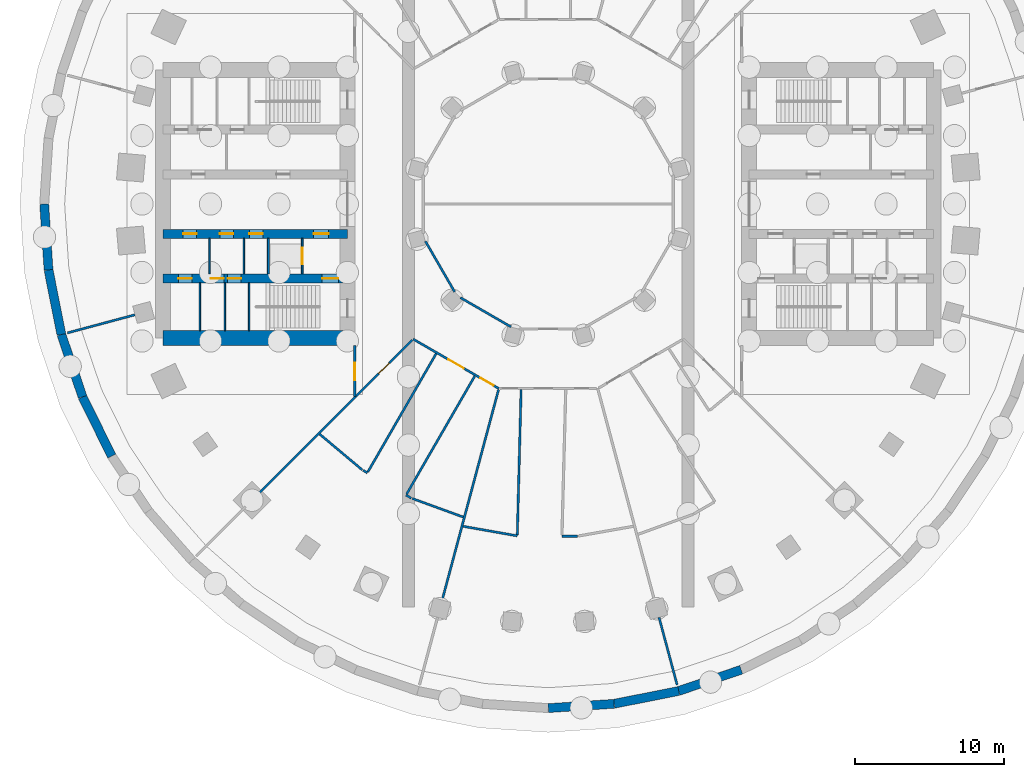
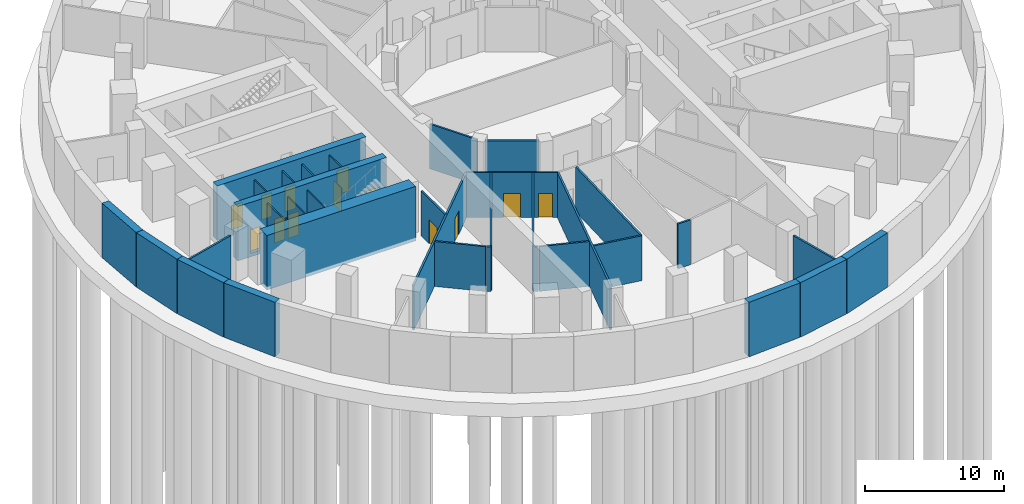
# One storey, part 3 of 10: 34 walls, 13 doors, 13 openings.
"""IFC4 building model written with IfcOpenShell, lengths in metres."""

from ifc_helpers import new_model, si_unit, direction, frame, frame_2d, origin, place, context, subcontext, project, spatial, rectangle, extrude, material, layer, layer_set, type_object, element, fill, save


model = new_model("IFC4")

# Units and contexts
model_context = context("Model", 3, precision=1e-05, world=origin(), true_north=direction((0.0, 1.0)))
body_context = subcontext(model_context, "Body", "Model", "MODEL_VIEW")
ifc_project = project(units=[si_unit("LENGTHUNIT", "METRE"), si_unit("AREAUNIT", "SQUARE_METRE"), si_unit("VOLUMEUNIT", "CUBIC_METRE"), si_unit("PLANEANGLEUNIT", "RADIAN"), si_unit("MASSUNIT", "GRAM", prefix="KILO")], contexts=[model_context])

# Site, building, storey
site_placement = place(None, origin())
site = spatial("IfcSite", under=ifc_project, at=site_placement, CompositionType="ELEMENT")
building_placement = place(site_placement, origin())
building = spatial("IfcBuilding", under=site, at=building_placement, Name="Saqina Gate Tower", CompositionType="ELEMENT")
storey_placement = place(building_placement, frame((0.0, 0.0, -9.0)))
storey = spatial("IfcBuildingStorey", under=building, at=storey_placement, Name="B2", CompositionType="ELEMENT", Elevation=-9.0)

# Walls
ifc_material_1 = material(Name="Gypsum board on steel studs", Category="steel")
ifc_layer_1 = layer(ifc_material_1, 0.10009765625)
ifc_layer_set_1 = layer_set([ifc_layer_1], Name="CORE PARTITION")
wall_type_1 = type_object("IfcWallType", Name="CORE PARTITION", PredefinedType="PARTITIONING", material=ifc_layer_set_1)
for number, where, z_axis, x_axis, name in (
    (1, (-20.45751953125, -4.699951171875, 0.0), (0.0, 0.0, 1.0), (0.0, 1.0, 0.0), "B2-CP-W04"),
    (2, (-22.763916015625, -4.699951171875, 0.0), (0.0, 0.0, 1.0), (0.0, 1.0, 0.0), "B2-CP-W05"),
):
    element("IfcWall", number, at=place(storey_placement, frame(where, z_axis=z_axis, x_axis=x_axis)), inside=storey, type_object=wall_type_1, Name=name, PredefinedType="PARTITIONING", context=body_context, shape_type="SweptSolid", body=[
        extrude(rectangle(XDim=2.39990234375, YDim=0.10009765625, at=frame_2d((1.199951171875, 0.0))), origin(), (0.0, 0.0, 1.0), 3.949951171875),
    ])
for number, where, z_axis, x_axis, name in (
    (3, (-21.73193359375, -8.5, 0.0), (0.0, 0.0, 1.0), (0.0, 1.0, 0.0), "B2-CP-W10"),
    (4, (-23.40869140625, -8.5, 0.0), (0.0, 0.0, 1.0), (0.0, 1.0, 0.0), "B2-CP-W11"),
):
    element("IfcWall", number, at=place(storey_placement, frame(where, z_axis=z_axis, x_axis=x_axis)), inside=storey, type_object=wall_type_1, Name=name, PredefinedType="PARTITIONING", context=body_context, shape_type="SweptSolid", body=[
        extrude(rectangle(XDim=3.199951171875, YDim=0.10009765625, at=frame_2d((1.60009765625, 0.0))), origin(), (0.0, 0.0, 1.0), 3.949951171875),
    ])

# Wall, opening, door
ifc_material_2 = material(Name="Autoclaved aerated concrete block", Category="concrete")
ifc_layer_2 = layer(ifc_material_2, 0.1201171875)
ifc_layer_set_2 = layer_set([ifc_layer_2], Name="SHAFT PARTITION")
wall_type_2 = type_object("IfcWallType", Name="SHAFT PARTITION", PredefinedType="PARTITIONING", material=ifc_layer_set_2)
wall_1_placement = place(storey_placement, frame((-16.530029296875, -4.699951171875, 0.0), z_axis=(0.0, 0.0, 1.0), x_axis=(0.0, 1.0, 0.0)))
wall_1 = element("IfcWall", 5, at=wall_1_placement, inside=storey, type_object=wall_type_2, Name="B2-CP-W02", PredefinedType="PARTITIONING", context=body_context, shape_type="SweptSolid", body=[
    extrude(rectangle(XDim=2.39990234375, YDim=0.1201171875, at=frame_2d((1.199951171875, 0.0))), origin(), (0.0, 0.0, 1.0), 3.949951171875),
])
opening_1_placement = place(wall_1_placement, frame((0.64990234375, 0.0, 0.0)))
opening_1 = element("IfcOpeningElement", 6, at=opening_1_placement, cuts=wall_1, Name="Opening B2-LD2", PredefinedType="OPENING", context=body_context, shape_type="SweptSolid", body=[
    extrude(rectangle(XDim=1.10009765625, YDim=2.10009765625, at=frame_2d((0.550048828125, 1.050048828125))), frame((0.0, 0.072021484375, 0.0), z_axis=(0.0, -1.0, 0.0), x_axis=(1.0, 0.0, 0.0)), (0.0, 0.0, 1.0), 0.14404296875),
])
ifc_material_3 = material(Name="Stainless steel", Category="steel")
door_type_1 = type_object("IfcDoorType", Name="LANDING DOOR", OperationType="DOUBLE_DOOR_SLIDING", PredefinedType="DOOR", material=ifc_material_3)
door_1_placement = place(opening_1_placement, origin())
door_1 = element("IfcDoor", 7, at=door_1_placement, inside=storey, type_object=door_type_1, Name="LANDING DOOR FF2", OperationType="DOUBLE_DOOR_SLIDING", OverallHeight=2.10009765625, OverallWidth=1.10009765625, PredefinedType="DOOR", context=body_context, shape_type="SweptSolid", body=[
    extrude(rectangle(XDim=1.10009765625, YDim=2.10009765625, at=frame_2d((0.550048828125, 1.050048828125))), frame((0.0, 0.02490234375, 0.0), z_axis=(0.0, -1.0, 0.0), x_axis=(1.0, 0.0, 0.0)), (0.0, 0.0, 1.0), 0.050048828125),
])
fill(opening_1, door_1)

# Wall
wall_2_placement = place(storey_placement, frame((-18.81005859375, -4.699951171875, 0.0), z_axis=(0.0, 0.0, 1.0), x_axis=(0.0, 1.0, 0.0)))
element("IfcWall", 8, at=wall_2_placement, inside=storey, type_object=wall_type_2, Name="B2-CP-W03", PredefinedType="PARTITIONING", context=body_context, shape_type="SweptSolid", body=[
    extrude(rectangle(XDim=2.39990234375, YDim=0.1201171875, at=frame_2d((1.199951171875, 0.0))), origin(), (0.0, 0.0, 1.0), 3.949951171875),
])

# Wall, opening, door
ifc_material_4 = material(Name="Gypsum board on steel studs, 150 mm, fire rated", Category="steel")
ifc_layer_3 = layer(ifc_material_4, 0.14990234375)
ifc_layer_set_3 = layer_set([ifc_layer_3], Name="SPECIAL PARTITION EI 30 150")
wall_type_3 = type_object("IfcWallType", Name="SPECIAL PARTITION EI 30 150", PredefinedType="PARTITIONING", material=ifc_layer_set_3)
wall_3_placement = place(storey_placement, frame((-13.0, -12.925048828125, 0.0), z_axis=(0.0, 0.0, 1.0), x_axis=(0.0, 1.0, 0.0)))
wall_3 = element("IfcWall", 9, at=wall_3_placement, inside=storey, type_object=wall_type_3, Name="PARTITION 075", PredefinedType="PARTITIONING", context=body_context, shape_type="SweptSolid", body=[
    extrude(rectangle(XDim=3.425048828125, YDim=0.14990234375, at=frame_2d((1.71240234375, 0.0))), origin(), (0.0, 0.0, 1.0), 3.949951171875),
])
opening_2_placement = place(wall_3_placement, frame((1.074951171875, 0.0, 0.0)))
opening_2 = element("IfcOpeningElement", 10, at=opening_2_placement, cuts=wall_3, Name="Opening B2-D15", PredefinedType="OPENING", context=body_context, shape_type="SweptSolid", body=[
    extrude(rectangle(XDim=1.199951171875, YDim=2.10009765625, at=frame_2d((0.60009765625, 1.050048828125))), frame((0.0, 0.0869140625, 0.0), z_axis=(0.0, -1.0, 0.0), x_axis=(1.0, 0.0, 0.0)), (0.0, 0.0, 1.0), 0.173828125),
])
ifc_material_5 = material(Name="Steel-framed fire door leaf, EI 30", Category="steel")
door_type_2 = type_object("IfcDoorType", Name="SPECIAL DOOR 1200 FIRE EI 30", OperationType="SINGLE_SWING_LEFT", PredefinedType="DOOR", material=ifc_material_5)
door_2_placement = place(opening_2_placement, frame((1.199951171875, 0.0, 0.0), z_axis=(0.0, 0.0, 1.0), x_axis=(-1.0, 0.0, 0.0)))
door_2 = element("IfcDoor", 11, at=door_2_placement, inside=storey, type_object=door_type_2, Name="DOOR B2-D15", OperationType="SINGLE_SWING_RIGHT", OverallHeight=2.10009765625, OverallWidth=1.199951171875, PredefinedType="DOOR", context=body_context, shape_type="SweptSolid", body=[
    extrude(rectangle(XDim=1.199951171875, YDim=2.10009765625, at=frame_2d((0.60009765625, 1.050048828125))), frame((0.0, 0.02490234375, 0.0), z_axis=(0.0, -1.0, 0.0), x_axis=(1.0, 0.0, 0.0)), (0.0, 0.0, 1.0), 0.050048828125),
])
fill(opening_2, door_2)

# Walls
ifc_material_6 = material(Name="Masonry block and plaster, 150 mm, fire rated", Category="masonry")
ifc_layer_4 = layer(ifc_material_6, 0.14990234375)
ifc_layer_set_4 = layer_set([ifc_layer_4], Name="SPECIAL PARTITION EI 60 150")
wall_type_4 = type_object("IfcWallType", Name="SPECIAL PARTITION EI 60 150", PredefinedType="PARTITIONING", material=ifc_layer_set_4)
wall_4_placement = place(storey_placement, frame((7.443603515625, -27.780029296875, 0.0), z_axis=(0.0, 0.0, 1.0), x_axis=(0.258787281972, -0.965934336634, 0.0)))
element("IfcWall", 12, at=wall_4_placement, inside=storey, type_object=wall_type_4, Name="PARTITION 005", PredefinedType="PARTITIONING", context=body_context, shape_type="SweptSolid", body=[
    extrude(rectangle(XDim=4.687744140625, YDim=0.14990234375, at=frame_2d((2.34375, 0.0))), origin(), (0.0, 0.0, 1.0), 3.949951171875),
])
wall_5_placement = place(storey_placement, frame((-8.256591796875, -2.4990234375, 0.0), z_axis=(0.0, 0.0, 1.0), x_axis=(0.500061252887, -0.865990036525, 0.0)))
element("IfcWall", 13, at=wall_5_placement, inside=storey, type_object=wall_type_4, Name="PARTITION 006", PredefinedType="PARTITIONING", context=body_context, shape_type="SweptSolid", body=[
    extrude(rectangle(XDim=3.9296875, YDim=0.14990234375, at=frame_2d((1.96484375, 0.0))), origin(), (0.0, 0.0, 1.0), 3.949951171875),
])
wall_6_placement = place(storey_placement, frame((-15.359619140625, -15.465087890625, 0.0), z_axis=(0.0, 0.0, 1.0), x_axis=(0.765960423483, -0.642887727102, 0.0)))
element("IfcWall", 14, at=wall_6_placement, inside=storey, type_object=wall_type_4, Name="PARTITION 016", PredefinedType="PARTITIONING", context=body_context, shape_type="SweptSolid", body=[
    extrude(rectangle(XDim=3.725341796875, YDim=0.14990234375, at=frame_2d((1.86279296875, 0.0))), origin(), (0.0, 0.0, 1.0), 3.949951171875),
])
wall_7_placement = place(storey_placement, frame((-12.44091796875, -17.8974609375, 0.0), z_axis=(0.0, 0.0, 1.0), x_axis=(0.866297945504, -0.499527646498, 0.0)))
element("IfcWall", 15, at=wall_7_placement, inside=storey, type_object=wall_type_4, Name="PARTITION 018", PredefinedType="PARTITIONING", context=body_context, shape_type="SweptSolid", body=[
    extrude(rectangle(XDim=0.325439453125, YDim=0.14990234375, at=frame_2d((0.16259765625, 0.0))), origin(), (0.0, 0.0, 1.0), 3.949951171875),
])
wall_8_placement = place(storey_placement, frame((-9.56103515625, -19.56005859375, 0.0), z_axis=(0.0, 0.0, 1.0), x_axis=(0.866398669086, -0.499352927503, 0.0)))
element("IfcWall", 16, at=wall_8_placement, inside=storey, type_object=wall_type_4, Name="PARTITION 019", PredefinedType="PARTITIONING", context=body_context, shape_type="SweptSolid", body=[
    extrude(rectangle(XDim=0.400390625, YDim=0.14990234375, at=frame_2d((0.2001953125, 0.0))), origin(), (0.0, 0.0, 1.0), 3.949951171875),
])

# Wall, openings, doors
wall_9_placement = place(storey_placement, frame((-9.076904296875, -9.076904296875, 0.0), z_axis=(0.0, 0.0, 1.0), x_axis=(0.865961614908, -0.500110469302, 0.0)))
wall_9 = element("IfcWall", 17, at=wall_9_placement, inside=storey, type_object=wall_type_4, Name="PARTITION 020", PredefinedType="PARTITIONING", context=body_context, shape_type="SweptSolid", body=[
    extrude(rectangle(XDim=6.64453125, YDim=0.14990234375, at=frame_2d((3.322265625, 0.0))), origin(), (0.0, 0.0, 1.0), 3.949951171875),
])
opening_3_placement = place(wall_9_placement, frame((2.722412109375, 0.0, 0.0)))
opening_3 = element("IfcOpeningElement", 18, at=opening_3_placement, cuts=wall_9, Name="Opening B2-D17", PredefinedType="OPENING", context=body_context, shape_type="SweptSolid", body=[
    extrude(rectangle(XDim=1.199951171875, YDim=2.10009765625, at=frame_2d((0.60009765625, 1.050048828125))), frame((0.0, 0.0869140625, 0.0), z_axis=(0.0, -1.0, 0.0), x_axis=(1.0, 0.0, 0.0)), (0.0, 0.0, 1.0), 0.173828125),
])
opening_4_placement = place(wall_9_placement, frame((5.233642578125, 0.0, 0.0)))
opening_4 = element("IfcOpeningElement", 19, at=opening_4_placement, cuts=wall_9, Name="Opening B2-D18", PredefinedType="OPENING", context=body_context, shape_type="SweptSolid", body=[
    extrude(rectangle(XDim=1.0, YDim=2.10009765625, at=frame_2d((0.5, 1.050048828125))), frame((0.0, 0.0869140625, 0.0), z_axis=(0.0, -1.0, 0.0), x_axis=(1.0, 0.0, 0.0)), (0.0, 0.0, 1.0), 0.173828125),
])
ifc_material_7 = material(Name="Steel-framed fire door leaf, EI 60", Category="steel")
door_type_3 = type_object("IfcDoorType", Name="SPECIAL DOOR 1000 FIRE EI 60", OperationType="SINGLE_SWING_LEFT", PredefinedType="DOOR", material=ifc_material_7)
door_3_placement = place(opening_4_placement, frame((1.0, 0.0, 0.0), z_axis=(0.0, 0.0, 1.0), x_axis=(-1.0, 0.0, 0.0)))
door_3 = element("IfcDoor", 20, at=door_3_placement, inside=storey, type_object=door_type_3, Name="DOOR B2-D18", OperationType="SINGLE_SWING_RIGHT", OverallHeight=2.10009765625, OverallWidth=1.0, PredefinedType="DOOR", context=body_context, shape_type="SweptSolid", body=[
    extrude(rectangle(XDim=1.0, YDim=2.10009765625, at=frame_2d((0.5, 1.050048828125))), frame((0.0, 0.02490234375, 0.0), z_axis=(0.0, -1.0, 0.0), x_axis=(1.0, 0.0, 0.0)), (0.0, 0.0, 1.0), 0.050048828125),
])
fill(opening_4, door_3)
ifc_material_8 = material(Name="Steel-framed fire door leaf, EI 60", Category="steel")
door_type_4 = type_object("IfcDoorType", Name="SPECIAL DOOR 1200 FIRE EI 60", OperationType="SINGLE_SWING_LEFT", PredefinedType="DOOR", material=ifc_material_8)
door_4_placement = place(opening_3_placement, origin())
door_4 = element("IfcDoor", 21, at=door_4_placement, inside=storey, type_object=door_type_4, Name="DOOR B2-D17", OperationType="SINGLE_SWING_LEFT", OverallHeight=2.10009765625, OverallWidth=1.199951171875, PredefinedType="DOOR", context=body_context, shape_type="SweptSolid", body=[
    extrude(rectangle(XDim=1.199951171875, YDim=2.10009765625, at=frame_2d((0.60009765625, 1.050048828125))), frame((0.0, 0.02490234375, 0.0), z_axis=(0.0, -1.0, 0.0), x_axis=(1.0, 0.0, 0.0)), (0.0, 0.0, 1.0), 0.050048828125),
])
fill(opening_3, door_4)

# Walls
wall_10_placement = place(storey_placement, frame((-5.902099609375, -6.29150390625, 0.0), z_axis=(0.0, 0.0, 1.0), x_axis=(0.865990036525, -0.500061252887, 0.0)))
element("IfcWall", 22, at=wall_10_placement, inside=storey, type_object=wall_type_4, Name="PARTITION 021", PredefinedType="PARTITIONING", context=body_context, shape_type="SweptSolid", body=[
    extrude(rectangle(XDim=3.9296875, YDim=0.14990234375, at=frame_2d((1.96484375, 0.0))), origin(), (0.0, 0.0, 1.0), 3.949951171875),
])
wall_11_placement = place(storey_placement, frame((-9.1435546875, -19.78564453125, 0.0), z_axis=(0.0, 0.0, 1.0), x_axis=(0.939687930225, -0.342033030261, 0.0)))
element("IfcWall", 23, at=wall_11_placement, inside=storey, type_object=wall_type_4, Name="PARTITION 025", PredefinedType="PARTITIONING", context=body_context, shape_type="SweptSolid", body=[
    extrude(rectangle(XDim=3.650390625, YDim=0.14990234375, at=frame_2d((1.8251953125, 0.0))), origin(), (0.0, 0.0, 1.0), 3.949951171875),
])
wall_12_placement = place(storey_placement, frame((-5.72509765625, -21.655029296875, 0.0), z_axis=(0.0, 0.0, 1.0), x_axis=(0.984804823571, -0.173664790532, 0.0)))
element("IfcWall", 24, at=wall_12_placement, inside=storey, type_object=wall_type_4, Name="PARTITION 029", PredefinedType="PARTITIONING", context=body_context, shape_type="SweptSolid", body=[
    extrude(rectangle(XDim=3.697265625, YDim=0.14990234375, at=frame_2d((1.8486328125, 0.0))), origin(), (0.0, 0.0, 1.0), 3.949951171875),
])
wall_13_placement = place(storey_placement, frame((0.916015625, -22.320068359375, 0.0), z_axis=(0.0, 0.0, 1.0), x_axis=(1.0, 0.0, 0.0)))
element("IfcWall", 25, at=wall_13_placement, inside=storey, type_object=wall_type_4, Name="PARTITION 031", PredefinedType="PARTITIONING", context=body_context, shape_type="SweptSolid", body=[
    extrude(rectangle(XDim=1.036865234375, YDim=0.14990234375, at=frame_2d((0.5185546875, 0.0))), origin(), (0.0, 0.0, 1.0), 3.949951171875),
])
wall_14_placement = place(storey_placement, frame((-32.30810546875, -8.656982421875, 0.0), z_axis=(0.0, 0.0, 1.0), x_axis=(0.965934336634, 0.258787281972, 0.0)))
element("IfcWall", 26, at=wall_14_placement, inside=storey, type_object=wall_type_4, Name="PARTITION 041", PredefinedType="PARTITIONING", context=body_context, shape_type="SweptSolid", body=[
    extrude(rectangle(XDim=4.687744140625, YDim=0.14990234375, at=frame_2d((2.34375, 0.0))), origin(), (0.0, 0.0, 1.0), 3.949951171875),
])

# Wall, opening, door
wall_15_placement = place(storey_placement, frame((-19.4736328125, -19.4736328125, 0.0), z_axis=(0.0, 0.0, 1.0), x_axis=(0.707106781187, 0.707106781187, 0.0)))
wall_15 = element("IfcWall", 27, at=wall_15_placement, inside=storey, type_object=wall_type_4, Name="PARTITION 054", PredefinedType="PARTITIONING", context=body_context, shape_type="SweptSolid", body=[
    extrude(rectangle(XDim=14.628173828125, YDim=0.14990234375, at=frame_2d((7.31396484375, 0.0))), origin(), (0.0, 0.0, 1.0), 3.949951171875),
])
opening_5_placement = place(wall_15_placement, frame((11.427001953125, 0.0, 0.0)))
opening_5 = element("IfcOpeningElement", 28, at=opening_5_placement, cuts=wall_15, Name="Opening B2-D16", PredefinedType="OPENING", context=body_context, shape_type="SweptSolid", body=[
    extrude(rectangle(XDim=1.0, YDim=2.10009765625, at=frame_2d((0.5, 1.050048828125))), frame((0.0, 0.0869140625, 0.0), z_axis=(0.0, -1.0, 0.0), x_axis=(1.0, 0.0, 0.0)), (0.0, 0.0, 1.0), 0.173828125),
])
door_5_placement = place(opening_5_placement, frame((1.0, 0.0, 0.0), z_axis=(0.0, 0.0, 1.0), x_axis=(-1.0, 0.0, 0.0)))
door_5 = element("IfcDoor", 29, at=door_5_placement, inside=storey, type_object=door_type_3, Name="DOOR B2-D16", OperationType="SINGLE_SWING_LEFT", OverallHeight=2.10009765625, OverallWidth=1.0, PredefinedType="DOOR", context=body_context, shape_type="SweptSolid", body=[
    extrude(rectangle(XDim=1.0, YDim=2.10009765625, at=frame_2d((0.5, 1.050048828125))), frame((0.0, 0.02490234375, 0.0), z_axis=(0.0, -1.0, 0.0), x_axis=(1.0, 0.0, 0.0)), (0.0, 0.0, 1.0), 0.050048828125),
])
fill(opening_5, door_5)

# Walls
wall_16_placement = place(storey_placement, frame((-9.5234375, -19.4951171875, 0.0), z_axis=(0.0, 0.0, 1.0), x_axis=(0.500010539204, 0.866019318887, 0.0)))
element("IfcWall", 30, at=wall_16_placement, inside=storey, type_object=wall_type_4, Name="PARTITION 060", PredefinedType="PARTITIONING", context=body_context, shape_type="SweptSolid", body=[
    extrude(rectangle(XDim=9.169677734375, YDim=0.14990234375, at=frame_2d((4.5849609375, 0.0))), origin(), (0.0, 0.0, 1.0), 3.949951171875),
])
wall_17_placement = place(storey_placement, frame((-12.12158203125, -17.9951171875, 0.0), z_axis=(0.0, 0.0, 1.0), x_axis=(0.499975954304, 0.866039286129, 0.0)))
element("IfcWall", 31, at=wall_17_placement, inside=storey, type_object=wall_type_4, Name="PARTITION 061", PredefinedType="PARTITIONING", context=body_context, shape_type="SweptSolid", body=[
    extrude(rectangle(XDim=9.17041015625, YDim=0.14990234375, at=frame_2d((4.585205078125, 0.0))), origin(), (0.0, 0.0, 1.0), 3.949951171875),
])
wall_18_placement = place(storey_placement, frame((-7.127685546875, -26.601806640625, 0.0), z_axis=(0.0, 0.0, 1.0), x_axis=(0.258783360075, 0.965935387357, 0.0)))
element("IfcWall", 32, at=wall_18_placement, inside=storey, type_object=wall_type_4, Name="PARTITION 064", PredefinedType="PARTITIONING", context=body_context, shape_type="SweptSolid", body=[
    extrude(rectangle(XDim=14.627685546875, YDim=0.14990234375, at=frame_2d((7.31396484375, 0.0))), origin(), (0.0, 0.0, 1.0), 3.949951171875),
])
wall_19_placement = place(storey_placement, frame((-2.08203125, -22.221923828125, 0.0), z_axis=(0.0, 0.0, 1.0), x_axis=(0.026166425181, 0.999657600478, 0.0)))
element("IfcWall", 33, at=wall_19_placement, inside=storey, type_object=wall_type_4, Name="PARTITION 068", PredefinedType="PARTITIONING", context=body_context, shape_type="SweptSolid", body=[
    extrude(rectangle(XDim=9.750244140625, YDim=0.14990234375, at=frame_2d((4.875, 0.0))), origin(), (0.0, 0.0, 1.0), 3.949951171875),
])
ifc_material_9 = material(Name="Autoclaved aerated concrete block", Category="concrete")
ifc_layer_5 = layer(ifc_material_9, 0.10009765625)
ifc_layer_set_5 = layer_set([ifc_layer_5], Name="STAIR ENCLOSURE WALL")
wall_type_5 = type_object("IfcWallType", Name="STAIR ENCLOSURE WALL", PredefinedType="PARTITIONING", material=ifc_layer_set_5)
wall_20_placement = place(storey_placement, frame((-20.110107421875, -8.5, 0.0), z_axis=(0.0, 0.0, 1.0), x_axis=(0.0, 1.0, 0.0)))
element("IfcWall", 34, at=wall_20_placement, inside=storey, type_object=wall_type_5, Name="B2-CP-W09", PredefinedType="PARTITIONING", context=body_context, shape_type="SweptSolid", body=[
    extrude(rectangle(XDim=3.199951171875, YDim=0.10009765625, at=frame_2d((1.60009765625, 0.0))), origin(), (0.0, 0.0, 1.0), 3.949951171875),
])

# Wall, openings, doors
ifc_material_10 = material(Name="Concrete C70/85", Category="concrete")
ifc_layer_6 = layer(ifc_material_10, 0.60009765625)
ifc_layer_set_6 = layer_set([ifc_layer_6], Name="Concrete C70/85")
wall_type_6 = type_object("IfcWallType", Name="STR-CORE WALL-P-I", PredefinedType="SHEAR", material=ifc_layer_set_6)
wall_21_placement = place(storey_placement, frame((-13.5, -5.0, -0.300048828125), z_axis=(0.0, 0.0, 1.0), x_axis=(-1.0, 0.0, 0.0)))
wall_21 = element("IfcWall", 35, at=wall_21_placement, inside=storey, type_object=wall_type_6, Name="CORE WALL B2 W-X2", PredefinedType="SHEAR", context=body_context, shape_type="SweptSolid", body=[
    extrude(rectangle(XDim=12.39990234375, YDim=0.60009765625, at=frame_2d((6.199951171875, 0.0))), origin(), (0.0, 0.0, 1.0), 4.800048828125),
])
opening_6_placement = place(wall_21_placement, frame((7.144775390625, 0.0, 0.300048828125)))
opening_6 = element("IfcOpeningElement", 36, at=opening_6_placement, cuts=wall_21, Name="Opening B2-D115", PredefinedType="OPENING", context=body_context, shape_type="SweptSolid", body=[
    extrude(rectangle(XDim=0.89990234375, YDim=2.10009765625, at=frame_2d((0.449951171875, 1.050048828125))), frame((0.0, 0.31201171875, 0.0), z_axis=(0.0, -1.0, 0.0), x_axis=(1.0, 0.0, 0.0)), (0.0, 0.0, 1.0), 0.6240234375),
])
opening_7_placement = place(wall_21_placement, frame((8.298095703125, 0.0, 0.300048828125)))
opening_7 = element("IfcOpeningElement", 37, at=opening_7_placement, cuts=wall_21, Name="Opening B2-D116", PredefinedType="OPENING", context=body_context, shape_type="SweptSolid", body=[
    extrude(rectangle(XDim=0.89990234375, YDim=2.10009765625, at=frame_2d((0.449951171875, 1.050048828125))), frame((0.0, 0.31201171875, 0.0), z_axis=(0.0, -1.0, 0.0), x_axis=(1.0, 0.0, 0.0)), (0.0, 0.0, 1.0), 0.6240234375),
])
opening_8_placement = place(wall_21_placement, frame((10.454345703125, 0.0, 0.300048828125)))
opening_8 = element("IfcOpeningElement", 38, at=opening_8_placement, cuts=wall_21, Name="Opening B2-D117", PredefinedType="OPENING", context=body_context, shape_type="SweptSolid", body=[
    extrude(rectangle(XDim=0.89990234375, YDim=2.10009765625, at=frame_2d((0.449951171875, 1.050048828125))), frame((0.0, 0.31201171875, 0.0), z_axis=(0.0, -1.0, 0.0), x_axis=(1.0, 0.0, 0.0)), (0.0, 0.0, 1.0), 0.6240234375),
])
opening_9_placement = place(wall_21_placement, frame((0.60009765625, 0.0, 0.300048828125)))
opening_9 = element("IfcOpeningElement", 39, at=opening_9_placement, cuts=wall_21, Name="Opening B2-D118", PredefinedType="OPENING", context=body_context, shape_type="SweptSolid", body=[
    extrude(rectangle(XDim=1.10009765625, YDim=2.10009765625, at=frame_2d((0.550048828125, 1.050048828125))), frame((0.0, 0.31201171875, 0.0), z_axis=(0.0, -1.0, 0.0), x_axis=(1.0, 0.0, 0.0)), (0.0, 0.0, 1.0), 0.6240234375),
])
ifc_material_11 = material(Name="Steel", Category="steel")
door_type_5 = type_object("IfcDoorType", Name="FIRE LOBBY DOOR EI 60 WIDE", OperationType="SINGLE_SWING_LEFT", PredefinedType="DOOR", material=ifc_material_11)
door_6_placement = place(opening_9_placement, origin())
door_6 = element("IfcDoor", 40, at=door_6_placement, inside=storey, type_object=door_type_5, Name="B2-CD-W29", OperationType="SINGLE_SWING_LEFT", OverallHeight=2.10009765625, OverallWidth=1.10009765625, PredefinedType="DOOR", context=body_context, shape_type="SweptSolid", body=[
    extrude(rectangle(XDim=1.10009765625, YDim=2.10009765625, at=frame_2d((0.550048828125, 1.050048828125))), frame((0.0, 0.02490234375, 0.0), z_axis=(0.0, -1.0, 0.0), x_axis=(1.0, 0.0, 0.0)), (0.0, 0.0, 1.0), 0.050048828125),
])
fill(opening_9, door_6)
ifc_material_12 = material(Name="Steel-framed fire door leaf, EI 60", Category="steel")
door_type_6 = type_object("IfcDoorType", Name="SERVICE ROOM DOOR 900", OperationType="SINGLE_SWING_LEFT", PredefinedType="DOOR", material=ifc_material_12)
door_7_placement = place(opening_6_placement, frame((0.89990234375, 0.0, 0.0), z_axis=(0.0, 0.0, 1.0), x_axis=(-1.0, 0.0, 0.0)))
door_7 = element("IfcDoor", 41, at=door_7_placement, inside=storey, type_object=door_type_6, Name="B2-CD-W26", OperationType="SINGLE_SWING_RIGHT", OverallHeight=2.10009765625, OverallWidth=0.89990234375, PredefinedType="DOOR", context=body_context, shape_type="SweptSolid", body=[
    extrude(rectangle(XDim=0.89990234375, YDim=2.10009765625, at=frame_2d((0.449951171875, 1.050048828125))), frame((0.0, 0.02490234375, 0.0), z_axis=(0.0, -1.0, 0.0), x_axis=(1.0, 0.0, 0.0)), (0.0, 0.0, 1.0), 0.050048828125),
])
fill(opening_6, door_7)
door_8_placement = place(opening_7_placement, frame((0.89990234375, 0.0, 0.0), z_axis=(0.0, 0.0, 1.0), x_axis=(-1.0, 0.0, 0.0)))
door_8 = element("IfcDoor", 42, at=door_8_placement, inside=storey, type_object=door_type_6, Name="B2-CD-W27", OperationType="SINGLE_SWING_LEFT", OverallHeight=2.10009765625, OverallWidth=0.89990234375, PredefinedType="DOOR", context=body_context, shape_type="SweptSolid", body=[
    extrude(rectangle(XDim=0.89990234375, YDim=2.10009765625, at=frame_2d((0.449951171875, 1.050048828125))), frame((0.0, 0.02490234375, 0.0), z_axis=(0.0, -1.0, 0.0), x_axis=(1.0, 0.0, 0.0)), (0.0, 0.0, 1.0), 0.050048828125),
])
fill(opening_7, door_8)
door_9_placement = place(opening_8_placement, origin())
door_9 = element("IfcDoor", 43, at=door_9_placement, inside=storey, type_object=door_type_6, Name="B2-CD-W28", OperationType="SINGLE_SWING_LEFT", OverallHeight=2.10009765625, OverallWidth=0.89990234375, PredefinedType="DOOR", context=body_context, shape_type="SweptSolid", body=[
    extrude(rectangle(XDim=0.89990234375, YDim=2.10009765625, at=frame_2d((0.449951171875, 1.050048828125))), frame((0.0, 0.02490234375, 0.0), z_axis=(0.0, -1.0, 0.0), x_axis=(1.0, 0.0, 0.0)), (0.0, 0.0, 1.0), 0.050048828125),
])
fill(opening_8, door_9)

wall_22_placement = place(storey_placement, frame((-13.5, -2.0, -0.300048828125), z_axis=(0.0, 0.0, 1.0), x_axis=(-1.0, 0.0, 0.0)))
wall_22 = element("IfcWall", 44, at=wall_22_placement, inside=storey, type_object=wall_type_6, Name="CORE WALL B2 W-L2", PredefinedType="SHEAR", context=body_context, shape_type="SweptSolid", body=[
    extrude(rectangle(XDim=12.39990234375, YDim=0.60009765625, at=frame_2d((6.199951171875, 0.0))), origin(), (0.0, 0.0, 1.0), 4.800048828125),
])
opening_10_placement = place(wall_22_placement, frame((1.264892578125, 0.0, 0.300048828125)))
opening_10 = element("IfcOpeningElement", 45, at=opening_10_placement, cuts=wall_22, Name="Opening B2-D108", PredefinedType="OPENING", context=body_context, shape_type="SweptSolid", body=[
    extrude(rectangle(XDim=1.0, YDim=2.10009765625, at=frame_2d((0.5, 1.050048828125))), frame((0.0, 0.31201171875, 0.0), z_axis=(0.0, -1.0, 0.0), x_axis=(1.0, 0.0, 0.0)), (0.0, 0.0, 1.0), 0.6240234375),
])
opening_11_placement = place(wall_22_placement, frame((5.683837890625, 0.0, 0.300048828125)))
opening_11 = element("IfcOpeningElement", 46, at=opening_11_placement, cuts=wall_22, Name="Opening B2-D109", PredefinedType="OPENING", context=body_context, shape_type="SweptSolid", body=[
    extrude(rectangle(XDim=0.89990234375, YDim=2.10009765625, at=frame_2d((0.449951171875, 1.050048828125))), frame((0.0, 0.31201171875, 0.0), z_axis=(0.0, -1.0, 0.0), x_axis=(1.0, 0.0, 0.0)), (0.0, 0.0, 1.0), 0.6240234375),
])
opening_12_placement = place(wall_22_placement, frame((7.66064453125, 0.0, 0.300048828125)))
opening_12 = element("IfcOpeningElement", 47, at=opening_12_placement, cuts=wall_22, Name="Opening B2-D110", PredefinedType="OPENING", context=body_context, shape_type="SweptSolid", body=[
    extrude(rectangle(XDim=0.89990234375, YDim=2.10009765625, at=frame_2d((0.449951171875, 1.050048828125))), frame((0.0, 0.31201171875, 0.0), z_axis=(0.0, -1.0, 0.0), x_axis=(1.0, 0.0, 0.0)), (0.0, 0.0, 1.0), 0.6240234375),
])
opening_13_placement = place(wall_22_placement, frame((10.132080078125, 0.0, 0.300048828125)))
opening_13 = element("IfcOpeningElement", 48, at=opening_13_placement, cuts=wall_22, Name="Opening B2-D111", PredefinedType="OPENING", context=body_context, shape_type="SweptSolid", body=[
    extrude(rectangle(XDim=0.89990234375, YDim=2.10009765625, at=frame_2d((0.449951171875, 1.050048828125))), frame((0.0, 0.31201171875, 0.0), z_axis=(0.0, -1.0, 0.0), x_axis=(1.0, 0.0, 0.0)), (0.0, 0.0, 1.0), 0.6240234375),
])
ifc_material_13 = material(Name="Steel", Category="steel")
door_type_7 = type_object("IfcDoorType", Name="FIRE LOBBY DOOR EI 60", OperationType="SINGLE_SWING_LEFT", PredefinedType="DOOR", material=ifc_material_13)
door_10_placement = place(opening_10_placement, frame((1.0, 0.0, 0.0), z_axis=(0.0, 0.0, 1.0), x_axis=(-1.0, 0.0, 0.0)))
door_10 = element("IfcDoor", 49, at=door_10_placement, inside=storey, type_object=door_type_7, Name="B2-CD-W19", OperationType="SINGLE_SWING_RIGHT", OverallHeight=2.10009765625, OverallWidth=1.0, PredefinedType="DOOR", context=body_context, shape_type="SweptSolid", body=[
    extrude(rectangle(XDim=1.0, YDim=2.10009765625, at=frame_2d((0.5, 1.050048828125))), frame((0.0, 0.02490234375, 0.0), z_axis=(0.0, -1.0, 0.0), x_axis=(1.0, 0.0, 0.0)), (0.0, 0.0, 1.0), 0.050048828125),
])
fill(opening_10, door_10)
door_11_placement = place(opening_11_placement, origin())
door_11 = element("IfcDoor", 50, at=door_11_placement, inside=storey, type_object=door_type_6, Name="B2-CD-W20", OperationType="SINGLE_SWING_LEFT", OverallHeight=2.10009765625, OverallWidth=0.89990234375, PredefinedType="DOOR", context=body_context, shape_type="SweptSolid", body=[
    extrude(rectangle(XDim=0.89990234375, YDim=2.10009765625, at=frame_2d((0.449951171875, 1.050048828125))), frame((0.0, 0.02490234375, 0.0), z_axis=(0.0, -1.0, 0.0), x_axis=(1.0, 0.0, 0.0)), (0.0, 0.0, 1.0), 0.050048828125),
])
fill(opening_11, door_11)
door_12_placement = place(opening_12_placement, origin())
door_12 = element("IfcDoor", 51, at=door_12_placement, inside=storey, type_object=door_type_6, Name="B2-CD-W21", OperationType="SINGLE_SWING_RIGHT", OverallHeight=2.10009765625, OverallWidth=0.89990234375, PredefinedType="DOOR", context=body_context, shape_type="SweptSolid", body=[
    extrude(rectangle(XDim=0.89990234375, YDim=2.10009765625, at=frame_2d((0.449951171875, 1.050048828125))), frame((0.0, 0.02490234375, 0.0), z_axis=(0.0, -1.0, 0.0), x_axis=(1.0, 0.0, 0.0)), (0.0, 0.0, 1.0), 0.050048828125),
])
fill(opening_12, door_12)
door_13_placement = place(opening_13_placement, origin())
door_13 = element("IfcDoor", 52, at=door_13_placement, inside=storey, type_object=door_type_6, Name="B2-CD-W22", OperationType="SINGLE_SWING_RIGHT", OverallHeight=2.10009765625, OverallWidth=0.89990234375, PredefinedType="DOOR", context=body_context, shape_type="SweptSolid", body=[
    extrude(rectangle(XDim=0.89990234375, YDim=2.10009765625, at=frame_2d((0.449951171875, 1.050048828125))), frame((0.0, 0.02490234375, 0.0), z_axis=(0.0, -1.0, 0.0), x_axis=(1.0, 0.0, 0.0)), (0.0, 0.0, 1.0), 0.050048828125),
])
fill(opening_13, door_13)

# Walls
ifc_material_14 = material(Name="Concrete C70/85", Category="concrete")
ifc_layer_7 = layer(ifc_material_14, 1.0)
ifc_layer_set_7 = layer_set([ifc_layer_7], Name="Concrete C70/85")
wall_type_7 = type_object("IfcWallType", Name="STR-CORE WALL-P-O", PredefinedType="SHEAR", material=ifc_layer_set_7)
wall_23_placement = place(storey_placement, frame((-13.5, -9.0, -0.300048828125), z_axis=(0.0, 0.0, 1.0), x_axis=(-1.0, 0.0, 0.0)))
element("IfcWall", 53, at=wall_23_placement, inside=storey, type_object=wall_type_7, Name="CORE WALL B2 W-SE", PredefinedType="SHEAR", context=body_context, shape_type="SweptSolid", body=[
    extrude(rectangle(XDim=12.39990234375, YDim=1.0, at=frame_2d((6.199951171875, 0.0))), origin(), (0.0, 0.0, 1.0), 4.800048828125),
])
ifc_material_15 = material(Name="Concrete C40/50", Category="concrete")
ifc_layer_8 = layer(ifc_material_15, 0.60009765625)
ifc_layer_set_8 = layer_set([ifc_layer_8], Name="Concrete C40/50")
wall_type_8 = type_object("IfcWallType", Name="STR-WALL-RETAINING", PredefinedType="SOLIDWALL", material=ifc_layer_set_8)
wall_24_placement = place(storey_placement, frame((-33.87255859375, 0.0, -0.300048828125), z_axis=(0.0, 0.0, 1.0), x_axis=(0.065407158232, -0.997858659156, 0.0)))
element("IfcWall", 54, at=wall_24_placement, inside=storey, type_object=wall_type_8, Name="BASEMENT RETAINING WALL 25", PredefinedType="SOLIDWALL", context=body_context, shape_type="SweptSolid", body=[
    extrude(rectangle(XDim=4.4306640625, YDim=0.60009765625, at=frame_2d((2.21533203125, 0.0))), origin(), (0.0, 0.0, 1.0), 4.800048828125),
])
wall_25_placement = place(storey_placement, frame((-33.582763671875, -4.421142578125, -0.300048828125), z_axis=(0.0, 0.0, 1.0), x_axis=(0.195109395659, -0.980781486227, 0.0)))
element("IfcWall", 55, at=wall_25_placement, inside=storey, type_object=wall_type_8, Name="BASEMENT RETAINING WALL 26", PredefinedType="SOLIDWALL", context=body_context, shape_type="SweptSolid", body=[
    extrude(rectangle(XDim=4.430908203125, YDim=0.60009765625, at=frame_2d((2.21533203125, 0.0))), origin(), (0.0, 0.0, 1.0), 4.800048828125),
])
wall_26_placement = place(storey_placement, frame((-32.71826171875, -8.766845703125, -0.300048828125), z_axis=(0.0, 0.0, 1.0), x_axis=(0.321413701295, -0.946938874807, 0.0)))
element("IfcWall", 56, at=wall_26_placement, inside=storey, type_object=wall_type_8, Name="BASEMENT RETAINING WALL 27", PredefinedType="SOLIDWALL", context=body_context, shape_type="SweptSolid", body=[
    extrude(rectangle(XDim=4.4306640625, YDim=0.60009765625, at=frame_2d((2.21533203125, 0.0))), origin(), (0.0, 0.0, 1.0), 4.800048828125),
])
wall_27_placement = place(storey_placement, frame((-31.294189453125, -12.96240234375, -0.300048828125), z_axis=(0.0, 0.0, 1.0), x_axis=(0.442291876975, -0.896871169992, 0.0)))
element("IfcWall", 57, at=wall_27_placement, inside=storey, type_object=wall_type_8, Name="BASEMENT RETAINING WALL 28", PredefinedType="SOLIDWALL", context=body_context, shape_type="SweptSolid", body=[
    extrude(rectangle(XDim=4.430908203125, YDim=0.60009765625, at=frame_2d((2.21533203125, 0.0))), origin(), (0.0, 0.0, 1.0), 4.800048828125),
])
wall_28_placement = place(storey_placement, frame((0.0, -33.87255859375, -0.300048828125), z_axis=(0.0, 0.0, 1.0), x_axis=(0.997858659156, 0.065407158232, 0.0)))
element("IfcWall", 58, at=wall_28_placement, inside=storey, type_object=wall_type_8, Name="BASEMENT RETAINING WALL 37", PredefinedType="SOLIDWALL", context=body_context, shape_type="SweptSolid", body=[
    extrude(rectangle(XDim=4.4306640625, YDim=0.60009765625, at=frame_2d((2.21533203125, 0.0))), origin(), (0.0, 0.0, 1.0), 4.800048828125),
])
wall_29_placement = place(storey_placement, frame((4.421142578125, -33.582763671875, -0.300048828125), z_axis=(0.0, 0.0, 1.0), x_axis=(0.980781486227, 0.195109395659, 0.0)))
element("IfcWall", 59, at=wall_29_placement, inside=storey, type_object=wall_type_8, Name="BASEMENT RETAINING WALL 38", PredefinedType="SOLIDWALL", context=body_context, shape_type="SweptSolid", body=[
    extrude(rectangle(XDim=4.430908203125, YDim=0.60009765625, at=frame_2d((2.21533203125, 0.0))), origin(), (0.0, 0.0, 1.0), 4.800048828125),
])
wall_30_placement = place(storey_placement, frame((8.766845703125, -32.71826171875, -0.300048828125), z_axis=(0.0, 0.0, 1.0), x_axis=(0.946938874807, 0.321413701295, 0.0)))
element("IfcWall", 60, at=wall_30_placement, inside=storey, type_object=wall_type_8, Name="BASEMENT RETAINING WALL 39", PredefinedType="SOLIDWALL", context=body_context, shape_type="SweptSolid", body=[
    extrude(rectangle(XDim=4.4306640625, YDim=0.60009765625, at=frame_2d((2.21533203125, 0.0))), origin(), (0.0, 0.0, 1.0), 4.800048828125),
])

save(model, "model.ifc")
